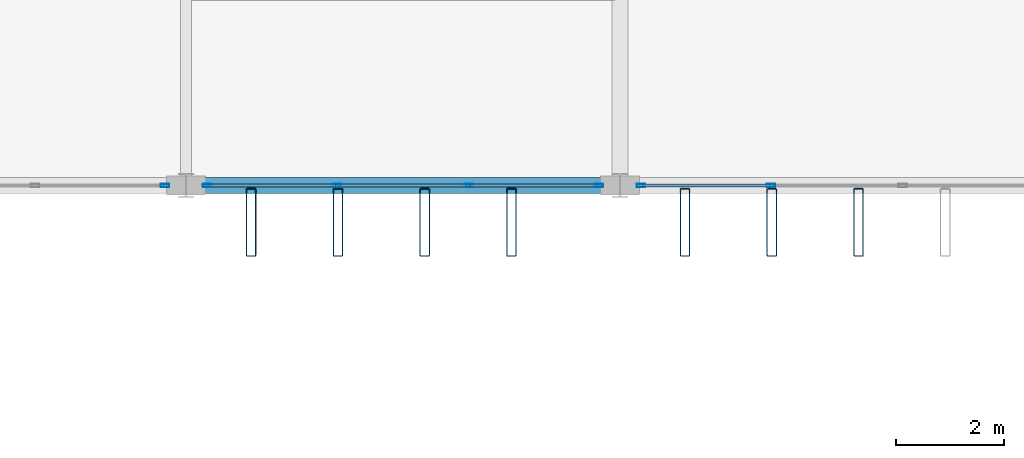
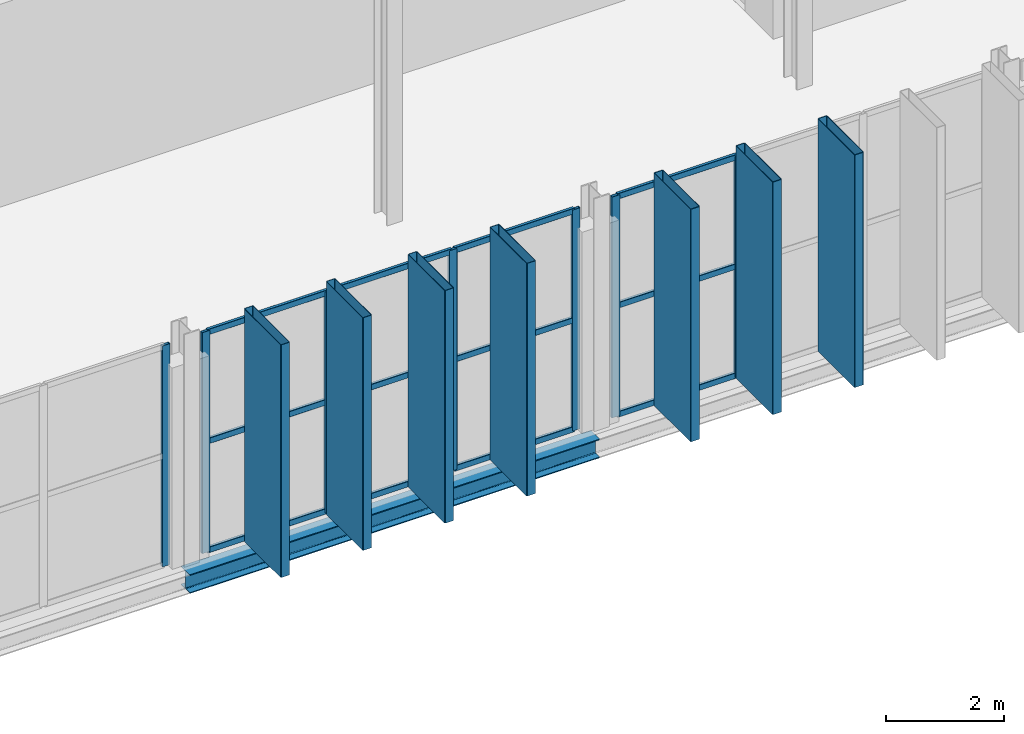
# One storey, part 28 of 120: 26 members, 1 beam, 3 elements without a shape of their own.
"""IFC4 building model written with IfcOpenShell, lengths in metres."""

import ifcopenshell
import ifcopenshell.guid

model = None  # the IFC model being written
_history = None  # IfcOwnerHistory: only IFC2X3 demands one
_inside = {}  # id of a spatial element -> (the spatial element, [elements in it])
_under = {}  # id of a project, library or spatial element -> (it, [spatial elements below it])
_declared = {}  # id of a project -> (the project, [libraries it declares])
_typed = {}  # id of a type object -> (the type object, [elements of that type])
_made_of = {}  # id of a material, layer set ... -> (it, [elements and type objects made of it])


def new_model(schema):
    """Start an empty IFC model of exactly this schema.

    Asked for "IFC4X3", IfcOpenShell would pick the latest addendum, in which some entities
    have other attributes; the version numbers below select the first issue.
    IFC2X3 requires an IfcOwnerHistory on every rooted entity: one is made here for all.
    """
    global model, _history
    if schema == "IFC4X3":
        model = ifcopenshell.file(schema_version=(4, 3, 0, 0))
    else:
        model = ifcopenshell.file(schema=schema)
    _inside.clear()
    _under.clear()
    _declared.clear()
    _typed.clear()
    _made_of.clear()
    _history = None
    if model.schema == "IFC2X3":
        org = make("IfcOrganization", Name="unknown")
        user = make(
            "IfcPersonAndOrganization",
            ThePerson=make("IfcPerson", FamilyName="unknown"),
            TheOrganization=org,
        )
        app = make(
            "IfcApplication",
            ApplicationDeveloper=org,
            Version="unknown",
            ApplicationFullName="unknown",
            ApplicationIdentifier="unknown",
        )
        _history = make(
            "IfcOwnerHistory",
            OwningUser=user,
            OwningApplication=app,
            ChangeAction="ADDED",
            CreationDate=0,
        )
    return model


def make(cls, **values):
    """One entity of the class cls with the attributes given. An attribute that is None is left unset."""
    return model.create_entity(
        cls, **{name: value for name, value in values.items() if value is not None}
    )


def rooted(cls, **values):
    """An entity with a GlobalId (a new one), such as an element, a storey or a relation."""
    return make(cls, GlobalId=ifcopenshell.guid.new(), OwnerHistory=_history, **values)


def si_unit(unit_type, name, prefix=None):
    """IfcSIUnit, for example si_unit("LENGTHUNIT", "METRE", prefix="MILLI")."""
    return make("IfcSIUnit", UnitType=unit_type, Prefix=prefix, Name=name)


def assignment(units):
    """IfcUnitAssignment: the units of a project."""
    return None if units is None else make("IfcUnitAssignment", Units=units)


def point(xyz):
    """IfcCartesianPoint."""
    return None if xyz is None else make("IfcCartesianPoint", Coordinates=xyz)


def direction(xyz):
    """IfcDirection."""
    return None if xyz is None else make("IfcDirection", DirectionRatios=xyz)


def frame(location, z_axis=None, x_axis=None):
    """IfcAxis2Placement3D, a coordinate frame: its origin and axes. An axis left out is left unset."""
    return make(
        "IfcAxis2Placement3D",
        Location=point(location),
        Axis=direction(z_axis),
        RefDirection=direction(x_axis),
    )


def frame_2d(location, x_axis=None):
    """IfcAxis2Placement2D, a coordinate frame in the plane: its origin and x axis."""
    return make(
        "IfcAxis2Placement2D", Location=point(location), RefDirection=direction(x_axis)
    )


def origin():
    """The frame at (0, 0, 0) with its axes left unset."""
    return frame((0.0, 0.0, 0.0))


def origin_2d():
    """The frame at (0, 0) in the plane with its x axis left unset."""
    return frame_2d((0.0, 0.0))


def place(relative_to, where):
    """IfcLocalPlacement: puts the frame where relative to a parent placement (None: the world)."""
    return make(
        "IfcLocalPlacement", PlacementRelTo=relative_to, RelativePlacement=where
    )


def context(
    kind, dimensions, precision=None, world=None, true_north=None, identifier=None
):
    """IfcGeometricRepresentationContext, for example the 3D "Model" context."""
    return make(
        "IfcGeometricRepresentationContext",
        ContextIdentifier=identifier,
        ContextType=kind,
        CoordinateSpaceDimension=dimensions,
        Precision=precision,
        WorldCoordinateSystem=world,
        TrueNorth=true_north,
    )


def subcontext(parent, identifier, kind, view, scale=None):
    """IfcGeometricRepresentationSubContext, for example "Body" below "Model"."""
    return make(
        "IfcGeometricRepresentationSubContext",
        ContextIdentifier=identifier,
        ContextType=kind,
        ParentContext=parent,
        TargetScale=scale,
        TargetView=view,
    )


def project(units=None, contexts=None):
    """IfcProject with its units and contexts."""
    return rooted(
        "IfcProject",
        Name="project",
        RepresentationContexts=contexts,
        UnitsInContext=assignment(units),
    )


def spatial(cls, under=None, at=None, **own):
    """A site, building, storey or space (cls), placed at a placement, below another one or the project."""
    s = rooted(cls, ObjectPlacement=at, **own)
    if under is not None:
        _under.setdefault(under.id(), (under, []))[1].append(s)
    return s


def profile(cls, at=None, kind="AREA", **sizes):
    """A parametric profile (cls). Its sizes go by their IFC names, for example OverallWidth=200.0."""
    return make(cls, ProfileType=kind, Position=at, **sizes)


def hollow_rectangle(**sizes):
    """IfcRectangleHollowProfileDef."""
    return profile("IfcRectangleHollowProfileDef", **sizes)


def i_section(**sizes):
    """IfcIShapeProfileDef."""
    return profile("IfcIShapeProfileDef", **sizes)


def extrude(swept, where, along, depth):
    """IfcExtrudedAreaSolid: the profile swept, set in the frame where, extruded along a direction by depth."""
    return make(
        "IfcExtrudedAreaSolid",
        SweptArea=swept,
        Position=where,
        ExtrudedDirection=direction(along),
        Depth=depth,
    )


def shape(context_of_items, identifier, shape_type, items):
    """IfcShapeRepresentation: the items that make up one representation, for example the "Body"."""
    return make(
        "IfcShapeRepresentation",
        ContextOfItems=context_of_items,
        RepresentationIdentifier=identifier,
        RepresentationType=shape_type,
        Items=items,
    )


def material(Name=None, Category=None):
    """IfcMaterial."""
    return make("IfcMaterial", Name=Name, Category=Category)


def layer(
    of_material, thickness, ventilated=None, Name=None, Category=None, Priority=None
):
    """IfcMaterialLayer: one layer of a wall or slab, of a material (None: an air gap)."""
    return make(
        "IfcMaterialLayer",
        Material=of_material,
        LayerThickness=thickness,
        IsVentilated=ventilated,
        Name=Name,
        Category=Category,
        Priority=Priority,
    )


def layer_set(layers, Name=None):
    """IfcMaterialLayerSet."""
    return make("IfcMaterialLayerSet", MaterialLayers=layers, LayerSetName=Name)


def material_profile(
    of_material, cross_section, Name=None, Category=None, Priority=None
):
    """IfcMaterialProfile: a cross section and its material."""
    return make(
        "IfcMaterialProfile",
        Name=Name,
        Material=of_material,
        Profile=cross_section,
        Priority=Priority,
        Category=Category,
    )


def profile_set(profiles, Name=None, composite=None):
    """IfcMaterialProfileSet."""
    return make(
        "IfcMaterialProfileSet",
        Name=Name,
        MaterialProfiles=profiles,
        CompositeProfile=composite,
    )


def made_of(thing, what):
    """Note that an element or type object is made of a material, layer set ...; save() writes the relation."""
    if what is not None:
        _made_of.setdefault(what.id(), (what, []))[1].append(thing)
    return thing


def type_object(cls, material=None, **own):
    """A type object (cls), such as IfcWallType, which elements share."""
    return made_of(rooted(cls, **own), material)


def element(
    cls,
    number,
    at=None,
    inside=None,
    cuts=None,
    type_object=None,
    material=None,
    context=None,
    identifier="Body",
    shape_type=None,
    held_by="IfcProductDefinitionShape",
    body=None,
    shapes=None,
    **own,
):
    """One element of the class cls, such as IfcWall. Its Tag is "e" and its number.

    at: its placement. inside: the storey or other place that contains it. cuts: it is an
    opening in that element (IfcRelVoidsElement). A single representation is given by context,
    identifier, shape_type and body (its items); several are given by shapes. held_by: the class
    of the entity that holds the representations. save() writes the other relations.
    """
    e = rooted(cls, Tag="e%d" % number, ObjectPlacement=at, **own)
    if body is not None:
        shapes = [shape(context, identifier, shape_type, body)]
    if shapes is not None:
        e.Representation = make(held_by, Representations=shapes)
    if inside is not None:
        _inside.setdefault(inside.id(), (inside, []))[1].append(e)
    if cuts is not None:
        rooted(
            "IfcRelVoidsElement", RelatingBuildingElement=cuts, RelatedOpeningElement=e
        )
    if type_object is not None:
        _typed.setdefault(type_object.id(), (type_object, []))[1].append(e)
    return made_of(e, material)


def aggregate(whole, parts):
    """IfcRelAggregates: a whole, such as a stair, and the parts it consists of."""
    return rooted("IfcRelAggregates", RelatingObject=whole, RelatedObjects=parts)


def save(model, path):
    """Write the relations noted so far, then the file.

    IfcRelAggregates (storeys below a building ...), IfcRelContainedInSpatialStructure (elements
    in a storey), IfcRelDefinesByType, IfcRelAssociatesMaterial and IfcRelDeclares: one each for
    every whole, place, type object, material and project.
    """
    for whole, parts in _under.values():
        aggregate(whole, parts)
    for where, things in _inside.values():
        rooted(
            "IfcRelContainedInSpatialStructure",
            RelatedElements=things,
            RelatingStructure=where,
        )
    for kind, things in _typed.values():
        rooted("IfcRelDefinesByType", RelatedObjects=things, RelatingType=kind)
    for what, things in _made_of.values():
        rooted("IfcRelAssociatesMaterial", RelatedObjects=things, RelatingMaterial=what)
    for by, libraries in _declared.values():
        rooted("IfcRelDeclares", RelatingContext=by, RelatedDefinitions=libraries)
    model.write(path)


model = new_model("IFC4")

# Units and contexts
model_context = context("Model", 3, precision=1e-05, world=origin(), true_north=direction((0.0, 1.0)))
body_context = subcontext(model_context, "Body", "Model", "MODEL_VIEW")
ifc_project = project(units=[si_unit("LENGTHUNIT", "METRE"), si_unit("AREAUNIT", "SQUARE_METRE"), si_unit("VOLUMEUNIT", "CUBIC_METRE"), si_unit("PLANEANGLEUNIT", "RADIAN"), si_unit("MASSUNIT", "GRAM", prefix="KILO")], contexts=[model_context])

# Site, building, storey
site_placement = place(None, origin())
site = spatial("IfcSite", under=ifc_project, at=site_placement, CompositionType="ELEMENT")
building_placement = place(site_placement, origin())
building = spatial("IfcBuilding", under=site, at=building_placement, Name="Vekula Escarpment Museum", CompositionType="ELEMENT")
storey_placement = place(building_placement, frame((0.0, 0.0, 13.199951171875)))
storey = spatial("IfcBuildingStorey", under=building, at=storey_placement, Name="L03", CompositionType="ELEMENT", Elevation=13.199951171875)

# Beam
ifc_material_1 = material(Name="Steel S355", Category="steel")
ifc_material_profile_1 = material_profile(ifc_material_1, i_section(OverallWidth=0.300048828125, OverallDepth=0.389892578125, WebThickness=0.010986328125, FlangeThickness=0.01904296875, FilletRadius=0.027099609375, at=origin_2d()), Name="HEA 400")
ifc_profile_set_1 = profile_set([ifc_material_profile_1], Name="Steel S355")
beam_type = type_object("IfcBeamType", Name="BM-SPAN-HEA400", PredefinedType="SPANDREL", material=ifc_profile_set_1)
beam_placement = place(storey_placement, frame((102.0, 45.60009765625, -0.445068359375), z_axis=(1.0, 0.0, 0.0), x_axis=(0.0, 1.0, 0.0)))
element("IfcBeam", 1, at=beam_placement, inside=storey, type_object=beam_type, Name="Beam X L03 1319", PredefinedType="SPANDREL", context=body_context, shape_type="SweptSolid", body=[
    extrude(i_section(OverallWidth=0.300048828125, OverallDepth=0.389892578125, WebThickness=0.010986328125, FlangeThickness=0.01904296875, FilletRadius=0.027099609375, at=origin_2d()), origin(), (0.0, 0.0, 1.0), 8.0),
])

# Curtain wall, member
ifc_material_2 = material(Name="Aluminium thermally broken framing", Category="aluminium")
ifc_layer_1 = layer(ifc_material_2, 0.199951171875)
ifc_layer_set_1 = layer_set([ifc_layer_1], Name="Aluminium thermally broken framing")
curtain_wall_type_1 = type_object("IfcCurtainWallType", Name="CW-SYS-04", PredefinedType="NOTDEFINED", material=ifc_layer_set_1)
curtain_wall_1_placement = place(storey_placement, origin())
curtain_wall_1 = element("IfcCurtainWall", 2, at=curtain_wall_1_placement, inside=storey, type_object=curtain_wall_type_1, Name="Curtain Wall CW-L03-104", PredefinedType="NOTDEFINED")
ifc_material_3 = material(Name="Aluminium anodized mullion", Category="aluminium")
ifc_material_profile_2 = material_profile(ifc_material_3, hollow_rectangle(XDim=0.06005859375, YDim=0.159912109375, WallThickness=0.00390625, InnerFilletRadius=0.00390625, OuterFilletRadius=0.008056640625, at=origin_2d()), Name="ALU 160x60x4")
ifc_profile_set_2 = profile_set([ifc_material_profile_2], Name="Aluminium anodized mullion")
member_type_1 = type_object("IfcMemberType", Name="CW-MUL-160", PredefinedType="MULLION", material=ifc_profile_set_2)
member_1_placement = place(storey_placement, frame((101.610107421875, 45.60009765625, 0.0), z_axis=(0.0, 0.0, 1.0), x_axis=(0.0, 1.0, 0.0)))
member_1 = element("IfcMember", 3, at=member_1_placement, type_object=member_type_1, Name="CW-04 mullion 4", PredefinedType="MULLION", context=body_context, shape_type="SweptSolid", body=[
    extrude(hollow_rectangle(XDim=0.06005859375, YDim=0.159912109375, WallThickness=0.00390625, InnerFilletRadius=0.00390625, OuterFilletRadius=0.008056640625, at=origin_2d()), origin(), (0.0, 0.0, 1.0), 4.56005859375),
])
aggregate(curtain_wall_1, [member_1])

# Curtain wall, members
ifc_material_4 = material(Name="Aluminium thermally broken framing", Category="aluminium")
ifc_layer_2 = layer(ifc_material_4, 0.159912109375)
ifc_layer_set_2 = layer_set([ifc_layer_2], Name="Aluminium thermally broken framing")
curtain_wall_type_2 = type_object("IfcCurtainWallType", Name="CW-SYS-05", PredefinedType="NOTDEFINED", material=ifc_layer_set_2)
curtain_wall_2_placement = place(storey_placement, origin())
curtain_wall_2 = element("IfcCurtainWall", 4, at=curtain_wall_2_placement, inside=storey, type_object=curtain_wall_type_2, Name="Curtain Wall CW-L03-105", PredefinedType="NOTDEFINED")
member_2_placement = place(storey_placement, frame((102.389892578125, 45.60009765625, 0.0), z_axis=(0.0, 0.0, 1.0), x_axis=(0.0, 1.0, 0.0)))
member_2 = element("IfcMember", 5, at=member_2_placement, type_object=member_type_1, Name="CW-05 mullion 1", PredefinedType="MULLION", context=body_context, shape_type="SweptSolid", body=[
    extrude(hollow_rectangle(XDim=0.06005859375, YDim=0.159912109375, WallThickness=0.00390625, InnerFilletRadius=0.00390625, OuterFilletRadius=0.008056640625, at=origin_2d()), origin(), (0.0, 0.0, 1.0), 4.56005859375),
])
member_3_placement = place(storey_placement, frame((104.78662109375, 45.60009765625, 0.0), z_axis=(0.0, 0.0, 1.0), x_axis=(0.0, 1.0, 0.0)))
member_3 = element("IfcMember", 6, at=member_3_placement, type_object=member_type_1, Name="CW-05 mullion 2", PredefinedType="MULLION", context=body_context, shape_type="SweptSolid", body=[
    extrude(hollow_rectangle(XDim=0.06005859375, YDim=0.159912109375, WallThickness=0.00390625, InnerFilletRadius=0.00390625, OuterFilletRadius=0.008056640625, at=origin_2d()), origin(), (0.0, 0.0, 1.0), 4.56005859375),
])
member_4_placement = place(storey_placement, frame((107.21337890625, 45.60009765625, 0.0), z_axis=(0.0, 0.0, 1.0), x_axis=(0.0, 1.0, 0.0)))
member_4 = element("IfcMember", 7, at=member_4_placement, type_object=member_type_1, Name="CW-05 mullion 3", PredefinedType="MULLION", context=body_context, shape_type="SweptSolid", body=[
    extrude(hollow_rectangle(XDim=0.06005859375, YDim=0.159912109375, WallThickness=0.00390625, InnerFilletRadius=0.00390625, OuterFilletRadius=0.008056640625, at=origin_2d()), origin(), (0.0, 0.0, 1.0), 4.56005859375),
])
member_5_placement = place(storey_placement, frame((109.610107421875, 45.60009765625, 0.0), z_axis=(0.0, 0.0, 1.0), x_axis=(0.0, 1.0, 0.0)))
member_5 = element("IfcMember", 8, at=member_5_placement, type_object=member_type_1, Name="CW-05 mullion 4", PredefinedType="MULLION", context=body_context, shape_type="SweptSolid", body=[
    extrude(hollow_rectangle(XDim=0.06005859375, YDim=0.159912109375, WallThickness=0.00390625, InnerFilletRadius=0.00390625, OuterFilletRadius=0.008056640625, at=origin_2d()), origin(), (0.0, 0.0, 1.0), 4.56005859375),
])

ifc_material_5 = material(Name="Aluminium thermally broken framing", Category="aluminium")
ifc_layer_3 = layer(ifc_material_5, 0.139892578125)
ifc_layer_set_3 = layer_set([ifc_layer_3], Name="Aluminium thermally broken framing")
curtain_wall_type_3 = type_object("IfcCurtainWallType", Name="CW-SYS-06", PredefinedType="NOTDEFINED", material=ifc_layer_set_3)
curtain_wall_3_placement = place(storey_placement, origin())
curtain_wall_3 = element("IfcCurtainWall", 9, at=curtain_wall_3_placement, inside=storey, type_object=curtain_wall_type_3, Name="Curtain Wall CW-L03-106", PredefinedType="NOTDEFINED")
member_6_placement = place(storey_placement, frame((110.389892578125, 45.60009765625, 0.0), z_axis=(0.0, 0.0, 1.0), x_axis=(0.0, 1.0, 0.0)))
member_6 = element("IfcMember", 10, at=member_6_placement, type_object=member_type_1, Name="CW-06 mullion 1", PredefinedType="MULLION", context=body_context, shape_type="SweptSolid", body=[
    extrude(hollow_rectangle(XDim=0.06005859375, YDim=0.159912109375, WallThickness=0.00390625, InnerFilletRadius=0.00390625, OuterFilletRadius=0.008056640625, at=origin_2d()), origin(), (0.0, 0.0, 1.0), 4.56005859375),
])
member_7_placement = place(storey_placement, frame((112.78662109375, 45.60009765625, 0.0), z_axis=(0.0, 0.0, 1.0), x_axis=(0.0, 1.0, 0.0)))
member_7 = element("IfcMember", 11, at=member_7_placement, type_object=member_type_1, Name="CW-06 mullion 2", PredefinedType="MULLION", context=body_context, shape_type="SweptSolid", body=[
    extrude(hollow_rectangle(XDim=0.06005859375, YDim=0.159912109375, WallThickness=0.00390625, InnerFilletRadius=0.00390625, OuterFilletRadius=0.008056640625, at=origin_2d()), origin(), (0.0, 0.0, 1.0), 4.56005859375),
])

# Member
ifc_material_6 = material(Name="Aluminium anodized transom", Category="aluminium")
ifc_material_profile_3 = material_profile(ifc_material_6, hollow_rectangle(XDim=0.06005859375, YDim=0.1201171875, WallThickness=0.00390625, InnerFilletRadius=0.00390625, OuterFilletRadius=0.008056640625, at=origin_2d()), Name="ALU 120x60x4")
ifc_profile_set_3 = profile_set([ifc_material_profile_3], Name="Aluminium anodized transom")
member_type_2 = type_object("IfcMemberType", Name="CW-TRN-120", PredefinedType="USERDEFINED", material=ifc_profile_set_3)
member_8_placement = place(storey_placement, frame((102.419921875, 45.60009765625, 0.030029296875), z_axis=(1.0, 0.0, 0.0), x_axis=(0.0, 1.0, 0.0)))
member_8 = element("IfcMember", 12, at=member_8_placement, type_object=member_type_2, Name="CW-05 transom 1.1", ObjectType="TRANSOM", PredefinedType="USERDEFINED", context=body_context, shape_type="SweptSolid", body=[
    extrude(hollow_rectangle(XDim=0.06005859375, YDim=0.1201171875, WallThickness=0.00390625, InnerFilletRadius=0.00390625, OuterFilletRadius=0.008056640625, at=origin_2d()), origin(), (0.0, 0.0, 1.0), 2.336669921875),
])

member_9_placement = place(storey_placement, frame((102.419921875, 45.60009765625, 2.280029296875), z_axis=(1.0, 0.0, 0.0), x_axis=(0.0, 1.0, 0.0)))
member_9 = element("IfcMember", 13, at=member_9_placement, type_object=member_type_2, Name="CW-05 transom 1.2", ObjectType="TRANSOM", PredefinedType="USERDEFINED", context=body_context, shape_type="SweptSolid", body=[
    extrude(hollow_rectangle(XDim=0.06005859375, YDim=0.1201171875, WallThickness=0.00390625, InnerFilletRadius=0.00390625, OuterFilletRadius=0.008056640625, at=origin_2d()), origin(), (0.0, 0.0, 1.0), 2.336669921875),
])

member_10_placement = place(storey_placement, frame((102.419921875, 45.60009765625, 4.530029296875), z_axis=(1.0, 0.0, 0.0), x_axis=(0.0, 1.0, 0.0)))
member_10 = element("IfcMember", 14, at=member_10_placement, type_object=member_type_2, Name="CW-05 transom 1.3", ObjectType="TRANSOM", PredefinedType="USERDEFINED", context=body_context, shape_type="SweptSolid", body=[
    extrude(hollow_rectangle(XDim=0.06005859375, YDim=0.1201171875, WallThickness=0.00390625, InnerFilletRadius=0.00390625, OuterFilletRadius=0.008056640625, at=origin_2d()), origin(), (0.0, 0.0, 1.0), 2.336669921875),
])

member_11_placement = place(storey_placement, frame((104.816650390625, 45.60009765625, 0.030029296875), z_axis=(1.0, 0.0, 0.0), x_axis=(0.0, 1.0, 0.0)))
member_11 = element("IfcMember", 15, at=member_11_placement, type_object=member_type_2, Name="CW-05 transom 2.1", ObjectType="TRANSOM", PredefinedType="USERDEFINED", context=body_context, shape_type="SweptSolid", body=[
    extrude(hollow_rectangle(XDim=0.06005859375, YDim=0.1201171875, WallThickness=0.00390625, InnerFilletRadius=0.00390625, OuterFilletRadius=0.008056640625, at=origin_2d()), origin(), (0.0, 0.0, 1.0), 2.36669921875),
])

member_12_placement = place(storey_placement, frame((104.816650390625, 45.60009765625, 2.280029296875), z_axis=(1.0, 0.0, 0.0), x_axis=(0.0, 1.0, 0.0)))
member_12 = element("IfcMember", 16, at=member_12_placement, type_object=member_type_2, Name="CW-05 transom 2.2", ObjectType="TRANSOM", PredefinedType="USERDEFINED", context=body_context, shape_type="SweptSolid", body=[
    extrude(hollow_rectangle(XDim=0.06005859375, YDim=0.1201171875, WallThickness=0.00390625, InnerFilletRadius=0.00390625, OuterFilletRadius=0.008056640625, at=origin_2d()), origin(), (0.0, 0.0, 1.0), 2.36669921875),
])

member_13_placement = place(storey_placement, frame((104.816650390625, 45.60009765625, 4.530029296875), z_axis=(1.0, 0.0, 0.0), x_axis=(0.0, 1.0, 0.0)))
member_13 = element("IfcMember", 17, at=member_13_placement, type_object=member_type_2, Name="CW-05 transom 2.3", ObjectType="TRANSOM", PredefinedType="USERDEFINED", context=body_context, shape_type="SweptSolid", body=[
    extrude(hollow_rectangle(XDim=0.06005859375, YDim=0.1201171875, WallThickness=0.00390625, InnerFilletRadius=0.00390625, OuterFilletRadius=0.008056640625, at=origin_2d()), origin(), (0.0, 0.0, 1.0), 2.36669921875),
])

member_14_placement = place(storey_placement, frame((107.243408203125, 45.60009765625, 0.030029296875), z_axis=(1.0, 0.0, 0.0), x_axis=(0.0, 1.0, 0.0)))
member_14 = element("IfcMember", 18, at=member_14_placement, type_object=member_type_2, Name="CW-05 transom 3.1", ObjectType="TRANSOM", PredefinedType="USERDEFINED", context=body_context, shape_type="SweptSolid", body=[
    extrude(hollow_rectangle(XDim=0.06005859375, YDim=0.1201171875, WallThickness=0.00390625, InnerFilletRadius=0.00390625, OuterFilletRadius=0.008056640625, at=origin_2d()), origin(), (0.0, 0.0, 1.0), 2.336669921875),
])

member_15_placement = place(storey_placement, frame((107.243408203125, 45.60009765625, 2.280029296875), z_axis=(1.0, 0.0, 0.0), x_axis=(0.0, 1.0, 0.0)))
member_15 = element("IfcMember", 19, at=member_15_placement, type_object=member_type_2, Name="CW-05 transom 3.2", ObjectType="TRANSOM", PredefinedType="USERDEFINED", context=body_context, shape_type="SweptSolid", body=[
    extrude(hollow_rectangle(XDim=0.06005859375, YDim=0.1201171875, WallThickness=0.00390625, InnerFilletRadius=0.00390625, OuterFilletRadius=0.008056640625, at=origin_2d()), origin(), (0.0, 0.0, 1.0), 2.336669921875),
])

member_16_placement = place(storey_placement, frame((107.243408203125, 45.60009765625, 4.530029296875), z_axis=(1.0, 0.0, 0.0), x_axis=(0.0, 1.0, 0.0)))
member_16 = element("IfcMember", 20, at=member_16_placement, type_object=member_type_2, Name="CW-05 transom 3.3", ObjectType="TRANSOM", PredefinedType="USERDEFINED", context=body_context, shape_type="SweptSolid", body=[
    extrude(hollow_rectangle(XDim=0.06005859375, YDim=0.1201171875, WallThickness=0.00390625, InnerFilletRadius=0.00390625, OuterFilletRadius=0.008056640625, at=origin_2d()), origin(), (0.0, 0.0, 1.0), 2.336669921875),
])

aggregate(curtain_wall_2, [member_2, member_3, member_4, member_5, member_8, member_9, member_10, member_11, member_12, member_13, member_14, member_15, member_16])

member_17_placement = place(storey_placement, frame((110.419921875, 45.60009765625, 0.030029296875), z_axis=(1.0, 0.0, 0.0), x_axis=(0.0, 1.0, 0.0)))
member_17 = element("IfcMember", 21, at=member_17_placement, type_object=member_type_2, Name="CW-06 transom 1.1", ObjectType="TRANSOM", PredefinedType="USERDEFINED", context=body_context, shape_type="SweptSolid", body=[
    extrude(hollow_rectangle(XDim=0.06005859375, YDim=0.1201171875, WallThickness=0.00390625, InnerFilletRadius=0.00390625, OuterFilletRadius=0.008056640625, at=origin_2d()), origin(), (0.0, 0.0, 1.0), 2.336669921875),
])

member_18_placement = place(storey_placement, frame((110.419921875, 45.60009765625, 2.280029296875), z_axis=(1.0, 0.0, 0.0), x_axis=(0.0, 1.0, 0.0)))
member_18 = element("IfcMember", 22, at=member_18_placement, type_object=member_type_2, Name="CW-06 transom 1.2", ObjectType="TRANSOM", PredefinedType="USERDEFINED", context=body_context, shape_type="SweptSolid", body=[
    extrude(hollow_rectangle(XDim=0.06005859375, YDim=0.1201171875, WallThickness=0.00390625, InnerFilletRadius=0.00390625, OuterFilletRadius=0.008056640625, at=origin_2d()), origin(), (0.0, 0.0, 1.0), 2.336669921875),
])

member_19_placement = place(storey_placement, frame((110.419921875, 45.60009765625, 4.530029296875), z_axis=(1.0, 0.0, 0.0), x_axis=(0.0, 1.0, 0.0)))
member_19 = element("IfcMember", 23, at=member_19_placement, type_object=member_type_2, Name="CW-06 transom 1.3", ObjectType="TRANSOM", PredefinedType="USERDEFINED", context=body_context, shape_type="SweptSolid", body=[
    extrude(hollow_rectangle(XDim=0.06005859375, YDim=0.1201171875, WallThickness=0.00390625, InnerFilletRadius=0.00390625, OuterFilletRadius=0.008056640625, at=origin_2d()), origin(), (0.0, 0.0, 1.0), 2.336669921875),
])

aggregate(curtain_wall_3, [member_6, member_7, member_17, member_18, member_19])

# Members
ifc_material_7 = material(Name="Steel S355 weathered bronze solar fin", Category="steel")
ifc_material_profile_4 = material_profile(ifc_material_7, hollow_rectangle(XDim=0.179931640625, YDim=1.25, WallThickness=0.010009765625, InnerFilletRadius=0.010009765625, OuterFilletRadius=0.02001953125, at=origin_2d()), Name="RHS 1250x180x10")
ifc_profile_set_4 = profile_set([ifc_material_profile_4], Name="Steel S355 weathered bronze solar fin")
member_type_3 = type_object("IfcMemberType", Name="MB-SOLAR-FIN", PredefinedType="USERDEFINED", material=ifc_profile_set_4)
for number, where, z_axis, x_axis, name in (
    (24, (103.199951171875, 44.919921875, 0.0), (0.0, 0.0, 1.0), (1.0, 0.0, 0.0), "Great Hall Vertical Solar Fin 0068"),
    (25, (104.800048828125, 44.919921875, 0.0), (0.0, 0.0, 1.0), (1.0, 0.0, 0.0), "Great Hall Vertical Solar Fin 0073"),
    (26, (106.39990234375, 44.919921875, 0.0), (0.0, 0.0, 1.0), (1.0, 0.0, 0.0), "Great Hall Vertical Solar Fin 0078"),
    (27, (108.0, 44.919921875, 0.0), (0.0, 0.0, 1.0), (1.0, 0.0, 0.0), "Great Hall Vertical Solar Fin 0083"),
    (28, (111.199951171875, 44.919921875, 0.0), (0.0, 0.0, 1.0), (1.0, 0.0, 0.0), "Great Hall Vertical Solar Fin 0088"),
    (29, (112.800048828125, 44.919921875, 0.0), (0.0, 0.0, 1.0), (1.0, 0.0, 0.0), "Great Hall Vertical Solar Fin 0093"),
    (30, (114.39990234375, 44.919921875, 0.0), (0.0, 0.0, 1.0), (1.0, 0.0, 0.0), "Great Hall Vertical Solar Fin 0098"),
):
    element("IfcMember", number, at=place(storey_placement, frame(where, z_axis=z_axis, x_axis=x_axis)), inside=storey, type_object=member_type_3, Name=name, ObjectType="SOLAR FIN", PredefinedType="USERDEFINED", context=body_context, shape_type="SweptSolid", body=[
        extrude(hollow_rectangle(XDim=0.179931640625, YDim=1.25, WallThickness=0.010009765625, InnerFilletRadius=0.010009765625, OuterFilletRadius=0.02001953125, at=origin_2d()), origin(), (0.0, 0.0, 1.0), 4.800048828125),
    ])

save(model, "model.ifc")
